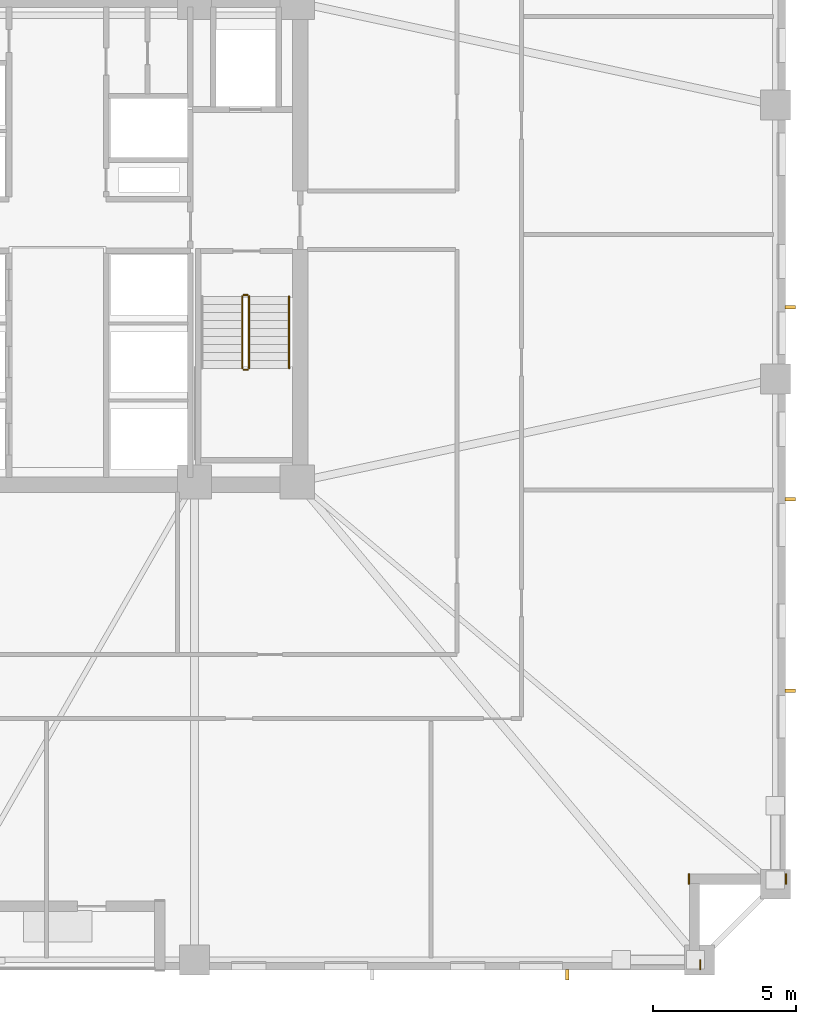
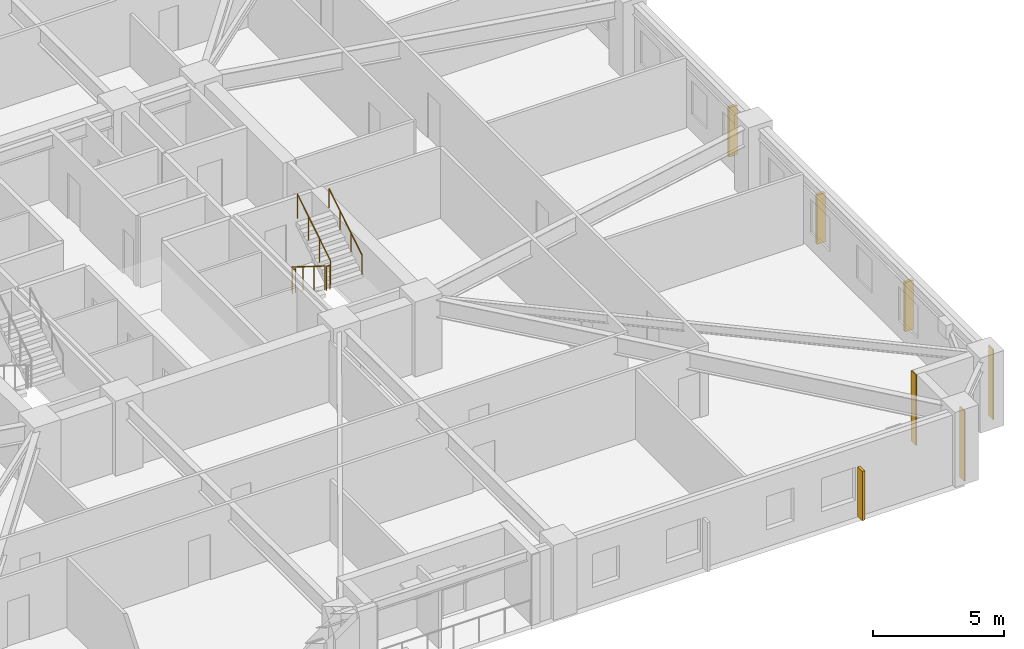
# One storey, part 9 of 11: 5 railings, 4 shading devices, 3 coverings.
"""IFC4 building model written with IfcOpenShell, lengths in metres."""

from ifc_helpers import new_model, si_unit, direction, frame, frame_2d, origin, origin_2d, place, context, subcontext, project, spatial, rectangle, circle, extrude, material, layer, layer_set, type_object, element, save


model = new_model("IFC4")

# Units and contexts
model_context = context("Model", 3, precision=1e-05, world=origin(), true_north=direction((0.0, 1.0)))
body_context = subcontext(model_context, "Body", "Model", "MODEL_VIEW")
ifc_project = project(units=[si_unit("LENGTHUNIT", "METRE"), si_unit("AREAUNIT", "SQUARE_METRE"), si_unit("VOLUMEUNIT", "CUBIC_METRE"), si_unit("PLANEANGLEUNIT", "RADIAN"), si_unit("MASSUNIT", "GRAM", prefix="KILO")], contexts=[model_context])

# Site, building, storey
site_placement = place(None, origin())
site = spatial("IfcSite", under=ifc_project, at=site_placement, CompositionType="ELEMENT")
building_placement = place(site_placement, origin())
building = spatial("IfcBuilding", under=site, at=building_placement, Name="Cairnveth Concourse Tower", CompositionType="ELEMENT")
storey_placement = place(building_placement, frame((0.0, 0.0, 37.5)))
storey = spatial("IfcBuildingStorey", under=building, at=storey_placement, Name="L09", CompositionType="ELEMENT", Elevation=37.5)

# Coverings
ifc_material_1 = material(Name="Dressed Melbourne Bluestone Cladding", Category="masonry")
ifc_layer = layer(ifc_material_1, 0.050048828125)
ifc_layer_set = layer_set([ifc_layer], Name="Dressed Melbourne Bluestone Cladding")
covering_type = type_object("IfcCoveringType", Name="DRESSED BLUESTONE PLINTH CLADDING 50", PredefinedType="CLADDING", material=ifc_layer_set)
for number, where, z_axis, x_axis, name in (
    (1, (77.52001953125, 16.860107421875, 0.0), (0.0, 0.0, 1.0), (0.0, -1.0, 0.0), "Melbourne Bluestone Corner Quoin L09-97"),
    (2, (74.1201171875, 16.860107421875, 0.0), (0.0, 0.0, 1.0), (0.0, -1.0, 0.0), "Melbourne Bluestone Corner Quoin L09-98"),
    (3, (74.52001953125, 13.860107421875, 0.0), (0.0, 0.0, 1.0), (0.0, -1.0, 0.0), "Melbourne Bluestone Corner Quoin L09-99"),
):
    element("IfcCovering", number, at=place(storey_placement, frame(where, z_axis=z_axis, x_axis=x_axis)), inside=storey, type_object=covering_type, Name=name, PredefinedType="CLADDING", context=body_context, shape_type="SweptSolid", body=[
        extrude(rectangle(XDim=0.360107421875, YDim=0.050048828125, at=frame_2d((0.18017578125, 0.0))), origin(), (0.0, 0.0, 1.0), 3.280029296875),
    ])

# Shading devices
ifc_material_2 = material(Name="Architectural Bronze Anodised Aluminium 6063-T6", Category="aluminium")
shading_device_type = type_object("IfcShadingDeviceType", Name="GOTHIC BRONZE VERTICAL LANCET FIN", PredefinedType="USERDEFINED", material=ifc_material_2)
for number, where, z_axis, x_axis, name in (
    (4, (77.675048828125, 36.71875, 0.02978515625), (0.0, 0.0, 1.0), (0.0, 1.0, 0.0), "Gothic Bronze Vertical Fin L09-9-7"),
    (5, (77.675048828125, 29.99853515625, 0.02978515625), (0.0, 0.0, 1.0), (0.0, 1.0, 0.0), "Gothic Bronze Vertical Fin L09-9-9"),
    (6, (77.675048828125, 23.278076171875, 0.02978515625), (0.0, 0.0, 1.0), (0.0, 1.0, 0.0), "Gothic Bronze Vertical Fin L09-9-11"),
    (7, (69.852294921875, 13.324951171875, 0.02978515625), (0.0, 0.0, 1.0), (1.0, 0.0, 0.0), "Gothic Bronze Vertical Fin L09-12-1"),
):
    element("IfcShadingDevice", number, at=place(storey_placement, frame(where, z_axis=z_axis, x_axis=x_axis)), inside=storey, type_object=shading_device_type, Name=name, ObjectType="VERTICAL FIN", PredefinedType="USERDEFINED", context=body_context, shape_type="SweptSolid", body=[
        extrude(rectangle(XDim=0.1201171875, YDim=0.360107421875, at=origin_2d()), origin(), (0.0, 0.0, 1.0), 2.303955078125),
    ])

# Railings
ifc_material_3 = material(Name="Steel Grade 350", Category="steel")
railing_type_1 = type_object("IfcRailingType", Name="STAIR GUARDRAIL 1150", PredefinedType="GUARDRAIL", material=ifc_material_3)
railing_1_placement = place(storey_placement, frame((58.469970703125, 37.10009765625, 0.175048828125)))
element("IfcRailing", 8, at=railing_1_placement, inside=storey, type_object=railing_type_1, Name="L09 ST-2 stair guard 1", PredefinedType="GUARDRAIL", context=body_context, shape_type="SweptSolid", body=[
    extrude(circle(Radius=0.02392578125, at=origin_2d()), frame((0.0, 0.0, 1.1259765625), z_axis=(0.0, -0.848007534815, 0.529984170421), x_axis=(1.0, 0.0, 0.0)), (0.0, 0.0, 1.0), 2.9716796875),
    extrude(circle(Radius=0.02099609375, at=origin_2d()), origin(), (0.0, 0.0, 1.0), 1.101806640625),
    extrude(circle(Radius=0.02099609375, at=origin_2d()), frame((0.0, -0.840087890625, 0.52490234375)), (0.0, 0.0, 1.0), 1.101806640625),
    extrude(circle(Radius=0.02099609375, at=origin_2d()), frame((0.0, -1.679931640625, 1.050048828125)), (0.0, 0.0, 1.0), 1.101806640625),
    extrude(circle(Radius=0.02099609375, at=origin_2d()), frame((0.0, -2.52001953125, 1.574951171875)), (0.0, 0.0, 1.0), 1.101806640625),
])
railing_2_placement = place(storey_placement, frame((58.52001953125, 34.530029296875, 1.75)))
element("IfcRailing", 9, at=railing_2_placement, inside=storey, type_object=railing_type_1, Name="L09 ST-2 stair guard 2", PredefinedType="GUARDRAIL", context=body_context, shape_type="SweptSolid", body=[
    extrude(circle(Radius=0.02392578125, at=origin_2d()), frame((0.0, 0.0, 1.1259765625), z_axis=(1.0, 0.0, 0.0), x_axis=(0.0, 1.0, 0.0)), (0.0, 0.0, 1.0), 0.139892578125),
    extrude(circle(Radius=0.02099609375, at=origin_2d()), origin(), (0.0, 0.0, 1.0), 1.101806640625),
    extrude(circle(Radius=0.02099609375, at=origin_2d()), frame((0.139892578125, 0.0, 0.0)), (0.0, 0.0, 1.0), 1.101806640625),
])
railing_3_placement = place(storey_placement, frame((58.7099609375, 34.580078125, 1.925048828125)))
element("IfcRailing", 10, at=railing_3_placement, inside=storey, type_object=railing_type_1, Name="L09 ST-2 stair guard 3", PredefinedType="GUARDRAIL", context=body_context, shape_type="SweptSolid", body=[
    extrude(circle(Radius=0.02392578125, at=origin_2d()), frame((0.0, 0.0, 1.1259765625), z_axis=(0.0, 0.848007534815, 0.529984170421), x_axis=(-1.0, 0.0, 0.0)), (0.0, 0.0, 1.0), 2.9716796875),
    extrude(circle(Radius=0.02099609375, at=origin_2d()), origin(), (0.0, 0.0, 1.0), 1.101806640625),
    extrude(circle(Radius=0.02099609375, at=origin_2d()), frame((0.0, 0.840087890625, 0.52490234375)), (0.0, 0.0, 1.0), 1.101806640625),
    extrude(circle(Radius=0.02099609375, at=origin_2d()), frame((0.0, 1.679931640625, 1.050048828125)), (0.0, 0.0, 1.0), 1.101806640625),
    extrude(circle(Radius=0.02099609375, at=origin_2d()), frame((0.0, 2.52001953125, 1.574951171875)), (0.0, 0.0, 1.0), 1.101806640625),
])
railing_4_placement = place(storey_placement, frame((58.52001953125, 37.14990234375, 0.0)))
element("IfcRailing", 11, at=railing_4_placement, inside=storey, type_object=railing_type_1, Name="L09 ST-2 stair guard 4", PredefinedType="GUARDRAIL", context=body_context, shape_type="SweptSolid", body=[
    extrude(circle(Radius=0.02392578125, at=origin_2d()), frame((0.0, 0.0, 1.1259765625), z_axis=(1.0, 0.0, 0.0), x_axis=(0.0, 1.0, 0.0)), (0.0, 0.0, 1.0), 0.139892578125),
    extrude(circle(Radius=0.02099609375, at=origin_2d()), origin(), (0.0, 0.0, 1.0), 1.101806640625),
    extrude(circle(Radius=0.02099609375, at=origin_2d()), frame((0.139892578125, 0.0, 0.0)), (0.0, 0.0, 1.0), 1.101806640625),
])
railing_type_2 = type_object("IfcRailingType", Name="STAIR WALL HANDRAIL 900", PredefinedType="HANDRAIL", material=ifc_material_3)
railing_5_placement = place(storey_placement, frame((60.110107421875, 34.580078125, 1.925048828125)))
element("IfcRailing", 12, at=railing_5_placement, inside=storey, type_object=railing_type_2, Name="L09 ST-2 stair handrail 2", PredefinedType="HANDRAIL", context=body_context, shape_type="SweptSolid", body=[
    extrude(circle(Radius=0.02392578125, at=origin_2d()), frame((0.0, 0.0, 0.8759765625), z_axis=(0.0, 0.848007534815, 0.529984170421), x_axis=(-1.0, 0.0, 0.0)), (0.0, 0.0, 1.0), 2.9716796875),
    extrude(circle(Radius=0.02099609375, at=origin_2d()), origin(), (0.0, 0.0, 1.0), 0.851806640625),
    extrude(circle(Radius=0.02099609375, at=origin_2d()), frame((0.0, 0.840087890625, 0.52490234375)), (0.0, 0.0, 1.0), 0.851806640625),
    extrude(circle(Radius=0.02099609375, at=origin_2d()), frame((0.0, 1.679931640625, 1.050048828125)), (0.0, 0.0, 1.0), 0.851806640625),
    extrude(circle(Radius=0.02099609375, at=origin_2d()), frame((0.0, 2.52001953125, 1.574951171875)), (0.0, 0.0, 1.0), 0.851806640625),
])

save(model, "model.ifc")
